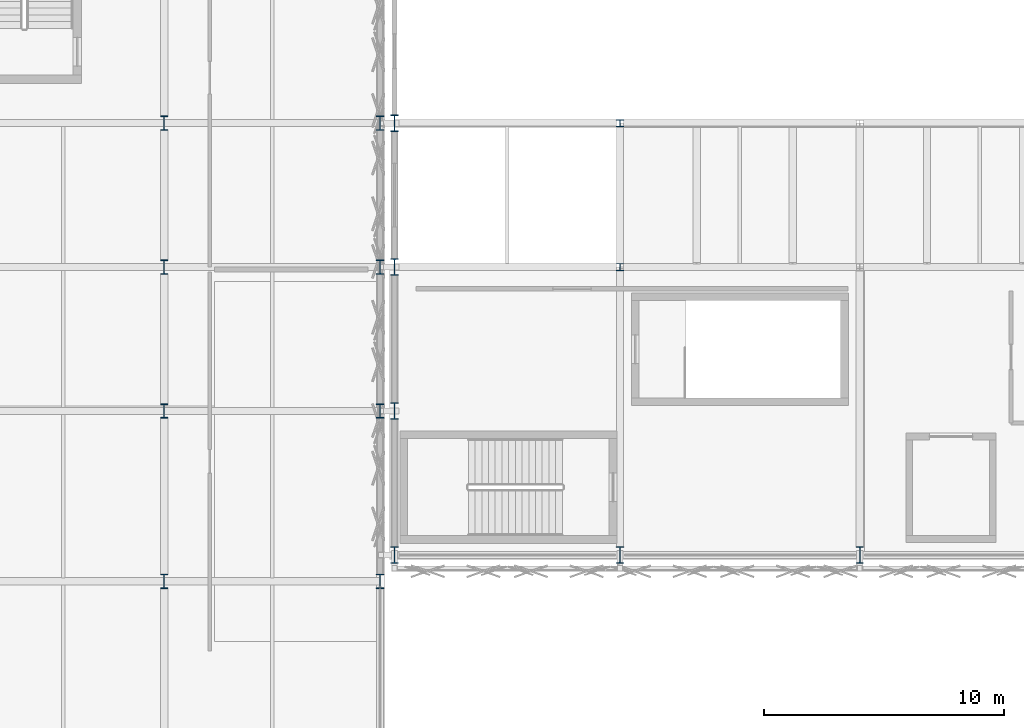
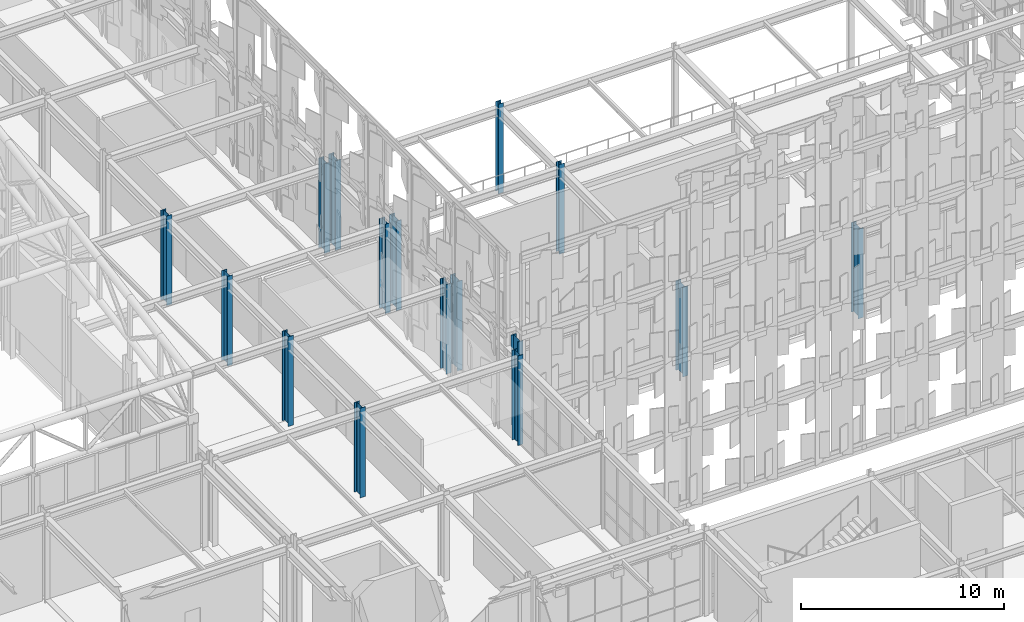
# One storey, part 18 of 239: 16 columns.
"""IFC4 building model written with IfcOpenShell, lengths in metres."""

from ifc_helpers import new_model, si_unit, direction, frame, origin, origin_2d, place, context, subcontext, project, spatial, i_section, extrude, material, material_profile, profile_set, type_object, element, save


model = new_model("IFC4")

# Units and contexts
model_context = context("Model", 3, precision=1e-05, world=origin(), true_north=direction((0.0, 1.0)))
body_context = subcontext(model_context, "Body", "Model", "MODEL_VIEW")
ifc_project = project(units=[si_unit("LENGTHUNIT", "METRE"), si_unit("AREAUNIT", "SQUARE_METRE"), si_unit("VOLUMEUNIT", "CUBIC_METRE"), si_unit("PLANEANGLEUNIT", "RADIAN"), si_unit("MASSUNIT", "GRAM", prefix="KILO")], contexts=[model_context])

# Site, building, storey
site_placement = place(None, origin())
site = spatial("IfcSite", under=ifc_project, at=site_placement, CompositionType="ELEMENT")
building_placement = place(site_placement, origin())
building = spatial("IfcBuilding", under=site, at=building_placement, Name="Kaldris Quays Convention Centre", CompositionType="ELEMENT")
storey_placement = place(building_placement, frame((0.0, 0.0, 11.39990234375)))
storey = spatial("IfcBuildingStorey", under=building, at=storey_placement, Name="L02", CompositionType="ELEMENT", Elevation=11.39990234375)

# Columns
ifc_material = material(Name="Steel S355J2", Category="steel")
ifc_material_profile_1 = material_profile(ifc_material, i_section(OverallWidth=0.300048828125, OverallDepth=0.699951171875, WebThickness=0.01708984375, FlangeThickness=0.031982421875, FilletRadius=0.027099609375, at=origin_2d()), Name="HEB 700")
ifc_profile_set_1 = profile_set([ifc_material_profile_1], Name="Steel S355J2")
column_type_1 = type_object("IfcColumnType", Name="STRUCTURAL COLUMN CL05", PredefinedType="COLUMN", material=ifc_profile_set_1)
for number, where, z_axis, x_axis, name in (
    (1, (164.60009765625, 56.0, 0.0), (0.0, 0.0, 1.0), (1.0, 0.0, 0.0), "L02 V2 Column CL05 (164.60, 56.00)"),
    (2, (164.60009765625, 62.0, 0.0), (0.0, 0.0, 1.0), (1.0, 0.0, 0.0), "L02 V2 Column CL05 (164.60, 62.00)"),
    (3, (164.60009765625, 68.0, 0.0), (0.0, 0.0, 1.0), (1.0, 0.0, 0.0), "L02 V2 Column CL05 (164.60, 68.00)"),
    (4, (164.60009765625, 74.0, 0.0), (0.0, 0.0, 1.0), (1.0, 0.0, 0.0), "L02 V2 Column CL05 (164.60, 74.00)"),
    (5, (174.0, 56.0, 0.0), (0.0, 0.0, 1.0), (1.0, 0.0, 0.0), "L02 V2 Column CL05 (174.00, 56.00)"),
    (6, (184.0, 56.0, 0.0), (0.0, 0.0, 1.0), (1.0, 0.0, 0.0), "L02 V2 Column CL05 (184.00, 56.00)"),
):
    element("IfcColumn", number, at=place(storey_placement, frame(where, z_axis=z_axis, x_axis=x_axis)), inside=storey, type_object=column_type_1, Name=name, PredefinedType="COLUMN", context=body_context, shape_type="SweptSolid", body=[
        extrude(i_section(OverallWidth=0.300048828125, OverallDepth=0.699951171875, WebThickness=0.01708984375, FlangeThickness=0.031982421875, FilletRadius=0.027099609375, at=origin_2d()), origin(), (0.0, 0.0, 1.0), 5.400146484375),
    ])
ifc_material_profile_2 = material_profile(ifc_material, i_section(OverallWidth=0.300048828125, OverallDepth=0.60009765625, WebThickness=0.015380859375, FlangeThickness=0.030029296875, FilletRadius=0.027099609375, at=origin_2d()), Name="HEB 600")
ifc_profile_set_2 = profile_set([ifc_material_profile_2], Name="Steel S355J2")
column_type_2 = type_object("IfcColumnType", Name="STRUCTURAL COLUMN CL06", PredefinedType="COLUMN", material=ifc_profile_set_2)
for number, where, z_axis, x_axis, name in (
    (7, (155.0, 54.89990234375, 0.0), (0.0, 0.0, 1.0), (1.0, 0.0, 0.0), "L02 V4 Column CL06 (155.00, 54.90)"),
    (8, (155.0, 62.0, 0.0), (0.0, 0.0, 1.0), (1.0, 0.0, 0.0), "L02 V4 Column CL06 (155.00, 62.00)"),
    (9, (155.0, 68.0, 0.0), (0.0, 0.0, 1.0), (1.0, 0.0, 0.0), "L02 V4 Column CL06 (155.00, 68.00)"),
    (10, (155.0, 74.0, 0.0), (0.0, 0.0, 1.0), (1.0, 0.0, 0.0), "L02 V4 Column CL06 (155.00, 74.00)"),
    (11, (164.0, 54.89990234375, 0.0), (0.0, 0.0, 1.0), (1.0, 0.0, 0.0), "L02 V4 Column CL06 (164.00, 54.90)"),
    (12, (164.0, 62.0, 0.0), (0.0, 0.0, 1.0), (1.0, 0.0, 0.0), "L02 V4 Column CL06 (164.00, 62.00)"),
    (13, (164.0, 68.0, 0.0), (0.0, 0.0, 1.0), (1.0, 0.0, 0.0), "L02 V4 Column CL06 (164.00, 68.00)"),
    (14, (164.0, 74.0, 0.0), (0.0, 0.0, 1.0), (1.0, 0.0, 0.0), "L02 V4 Column CL06 (164.00, 74.00)"),
):
    element("IfcColumn", number, at=place(storey_placement, frame(where, z_axis=z_axis, x_axis=x_axis)), inside=storey, type_object=column_type_2, Name=name, PredefinedType="COLUMN", context=body_context, shape_type="SweptSolid", body=[
        extrude(i_section(OverallWidth=0.300048828125, OverallDepth=0.60009765625, WebThickness=0.015380859375, FlangeThickness=0.030029296875, FilletRadius=0.027099609375, at=origin_2d()), origin(), (0.0, 0.0, 1.0), 5.400146484375),
    ])
ifc_material_profile_3 = material_profile(ifc_material, i_section(OverallWidth=0.300048828125, OverallDepth=0.2900390625, WebThickness=0.008544921875, FlangeThickness=0.013916015625, FilletRadius=0.027099609375, at=origin_2d()), Name="HEA 300")
ifc_profile_set_3 = profile_set([ifc_material_profile_3], Name="Steel S355J2")
column_type_3 = type_object("IfcColumnType", Name="STRUCTURAL COLUMN CL13", PredefinedType="COLUMN", material=ifc_profile_set_3)
for number, where, z_axis, x_axis, name in (
    (15, (174.0, 68.0, 0.0), (0.0, 0.0, 1.0), (1.0, 0.0, 0.0), "L02 V2 Column CL13 (174.00, 68.00)"),
    (16, (174.0, 74.0, 0.0), (0.0, 0.0, 1.0), (1.0, 0.0, 0.0), "L02 V2 Column CL13 (174.00, 74.00)"),
):
    element("IfcColumn", number, at=place(storey_placement, frame(where, z_axis=z_axis, x_axis=x_axis)), inside=storey, type_object=column_type_3, Name=name, PredefinedType="COLUMN", context=body_context, shape_type="SweptSolid", body=[
        extrude(i_section(OverallWidth=0.300048828125, OverallDepth=0.2900390625, WebThickness=0.008544921875, FlangeThickness=0.013916015625, FilletRadius=0.027099609375, at=origin_2d()), origin(), (0.0, 0.0, 1.0), 5.400146484375),
    ])

save(model, "model.ifc")
